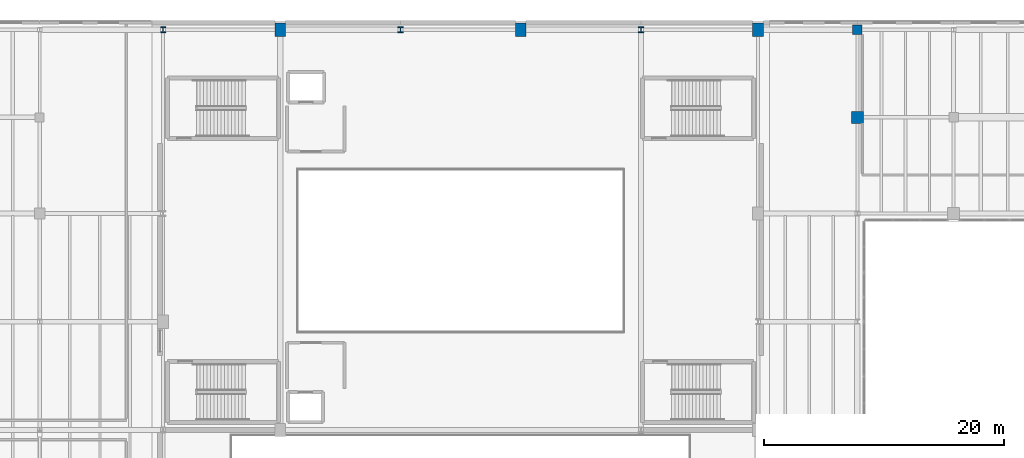
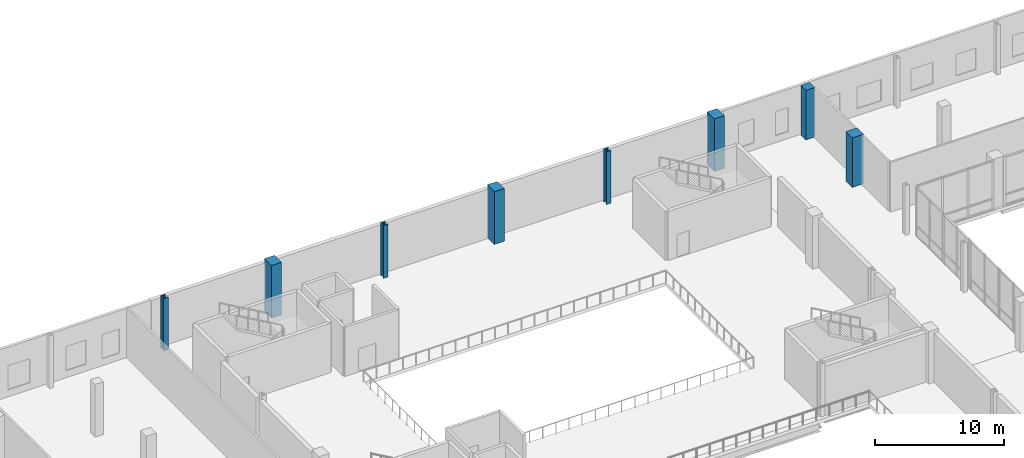
# One storey, part 12 of 73: 8 columns.
"""IFC4 building model written with IfcOpenShell, lengths in metres."""

from ifc_helpers import new_model, si_unit, direction, frame, origin, origin_2d, place, context, subcontext, project, spatial, rectangle, i_section, extrude, material, material_profile, profile_set, type_object, element, save


model = new_model("IFC4")

# Units and contexts
model_context = context("Model", 3, precision=1e-05, world=origin(), true_north=direction((0.0, 1.0)))
body_context = subcontext(model_context, "Body", "Model", "MODEL_VIEW")
ifc_project = project(units=[si_unit("LENGTHUNIT", "METRE"), si_unit("AREAUNIT", "SQUARE_METRE"), si_unit("VOLUMEUNIT", "CUBIC_METRE"), si_unit("PLANEANGLEUNIT", "RADIAN"), si_unit("MASSUNIT", "GRAM", prefix="KILO")], contexts=[model_context])

# Site, building, storey
site_placement = place(None, origin())
site = spatial("IfcSite", under=ifc_project, at=site_placement, CompositionType="ELEMENT")
building_placement = place(site_placement, origin())
building = spatial("IfcBuilding", under=site, at=building_placement, Name="Trimount Lyric Opera House", CompositionType="ELEMENT")
storey_placement = place(building_placement, frame((0.0, 0.0, 10.0)))
storey = spatial("IfcBuildingStorey", under=building, at=storey_placement, Name="L02", CompositionType="ELEMENT", Elevation=10.0)

# Columns
ifc_material_1 = material(Name="Steel ASTM A992 Grade 50", Category="steel")
ifc_material_profile_1 = material_profile(ifc_material_1, i_section(OverallWidth=0.422119140625, OverallDepth=0.465087890625, WebThickness=0.044921875, FlangeThickness=0.072509765625, FilletRadius=0.02001953125, at=origin_2d()), Name="W14X398")
ifc_profile_set_1 = profile_set([ifc_material_profile_1], Name="Steel ASTM A992 Grade 50")
column_type_1 = type_object("IfcColumnType", Name="C-01", PredefinedType="COLUMN", material=ifc_profile_set_1)
for number, where, z_axis, x_axis, name in (
    (1, (64.260009765625, 117.280029296875, 0.0), (0.0, 0.0, 1.0), (1.0, 0.0, 0.0), "L02 column 8/P"),
    (2, (84.0, 117.280029296875, 0.0), (0.0, 0.0, 1.0), (1.0, 0.0, 0.0), "L02 column 10/P"),
    (3, (104.0, 117.280029296875, 0.0), (0.0, 0.0, 1.0), (1.0, 0.0, 0.0), "L02 column 12/P"),
):
    element("IfcColumn", number, at=place(storey_placement, frame(where, z_axis=z_axis, x_axis=x_axis)), inside=storey, type_object=column_type_1, Name=name, PredefinedType="COLUMN", context=body_context, shape_type="SweptSolid", body=[
        extrude(i_section(OverallWidth=0.422119140625, OverallDepth=0.465087890625, WebThickness=0.044921875, FlangeThickness=0.072509765625, FilletRadius=0.02001953125, at=origin_2d()), origin(), (0.0, 0.0, 1.0), 5.0),
    ])
ifc_material_2 = material(Name="Concrete C50/60", Category="concrete")
ifc_material_profile_2 = material_profile(ifc_material_2, rectangle(XDim=0.89990234375, YDim=1.10009765625, at=origin_2d()), Name="RC1100X900")
ifc_profile_set_2 = profile_set([ifc_material_profile_2], Name="Concrete C50/60")
column_type_2 = type_object("IfcColumnType", Name="C-11", PredefinedType="COLUMN", material=ifc_profile_set_2)
for number, where, z_axis, x_axis, name in (
    (4, (74.0, 117.280029296875, 0.0), (0.0, 0.0, 1.0), (1.0, 0.0, 0.0), "L02 column 9/P"),
    (5, (94.0, 117.280029296875, 0.0), (0.0, 0.0, 1.0), (1.0, 0.0, 0.0), "L02 column 11/P"),
    (6, (113.739990234375, 117.280029296875, 0.0), (0.0, 0.0, 1.0), (1.0, 0.0, 0.0), "L02 column 13/P"),
):
    element("IfcColumn", number, at=place(storey_placement, frame(where, z_axis=z_axis, x_axis=x_axis)), inside=storey, type_object=column_type_2, Name=name, PredefinedType="COLUMN", context=body_context, shape_type="SweptSolid", body=[
        extrude(rectangle(XDim=0.89990234375, YDim=1.10009765625, at=origin_2d()), origin(), (0.0, 0.0, 1.0), 5.0),
    ])
ifc_material_3 = material(Name="Concrete C50/60", Category="concrete")
ifc_material_profile_3 = material_profile(ifc_material_3, rectangle(XDim=1.0, YDim=1.0, at=origin_2d()), Name="RC1000X1000")
ifc_profile_set_3 = profile_set([ifc_material_profile_3], Name="Concrete C50/60")
column_type_3 = type_object("IfcColumnType", Name="C-12", PredefinedType="COLUMN", material=ifc_profile_set_3)
column_1_placement = place(storey_placement, frame((122.0, 110.0, 0.0), z_axis=(0.0, 0.0, 1.0), x_axis=(1.0, 0.0, 0.0)))
element("IfcColumn", 7, at=column_1_placement, inside=storey, type_object=column_type_3, Name="L02 column 14/N", PredefinedType="COLUMN", context=body_context, shape_type="SweptSolid", body=[
    extrude(rectangle(XDim=1.0, YDim=1.0, at=origin_2d()), origin(), (0.0, 0.0, 1.0), 4.7099609375),
])
ifc_material_4 = material(Name="Concrete C40/50", Category="concrete")
ifc_material_profile_4 = material_profile(ifc_material_4, rectangle(XDim=0.800048828125, YDim=0.800048828125, at=origin_2d()), Name="RC800X800")
ifc_profile_set_4 = profile_set([ifc_material_profile_4], Name="Concrete C40/50")
column_type_4 = type_object("IfcColumnType", Name="C-14", PredefinedType="COLUMN", material=ifc_profile_set_4)
column_2_placement = place(storey_placement, frame((122.0, 117.280029296875, 0.0), z_axis=(0.0, 0.0, 1.0), x_axis=(1.0, 0.0, 0.0)))
element("IfcColumn", 8, at=column_2_placement, inside=storey, type_object=column_type_4, Name="L02 column 14/P", PredefinedType="COLUMN", context=body_context, shape_type="SweptSolid", body=[
    extrude(rectangle(XDim=0.800048828125, YDim=0.800048828125, at=origin_2d()), origin(), (0.0, 0.0, 1.0), 4.7099609375),
])

save(model, "model.ifc")
